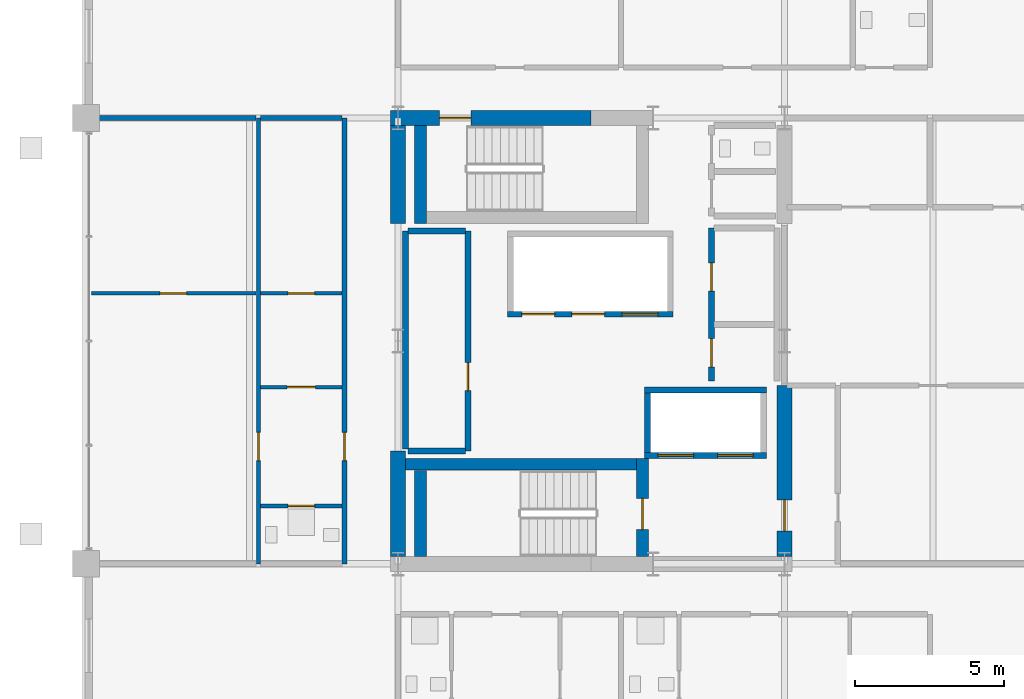
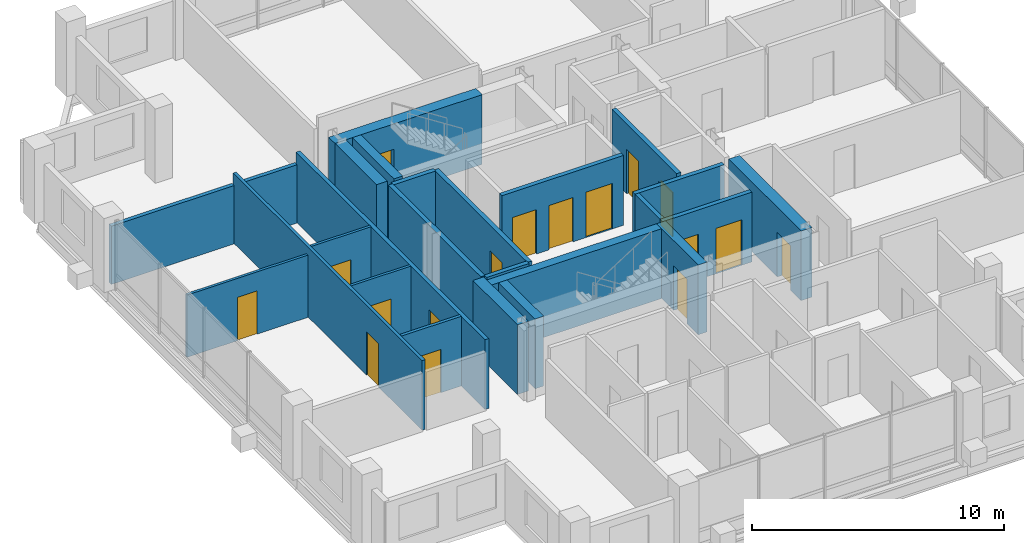
# One storey, part 17 of 21: 25 walls, 17 doors, 17 openings.
"""IFC4 building model written with IfcOpenShell, lengths in metres."""

from ifc_helpers import new_model, si_unit, direction, frame, frame_2d, origin, place, context, subcontext, project, spatial, rectangle, extrude, material, layer, layer_set, type_object, element, fill, save


model = new_model("IFC4")

# Units and contexts
model_context = context("Model", 3, precision=1e-05, world=origin(), true_north=direction((0.0, 1.0)))
body_context = subcontext(model_context, "Body", "Model", "MODEL_VIEW")
ifc_project = project(units=[si_unit("LENGTHUNIT", "METRE"), si_unit("AREAUNIT", "SQUARE_METRE"), si_unit("VOLUMEUNIT", "CUBIC_METRE"), si_unit("PLANEANGLEUNIT", "RADIAN"), si_unit("MASSUNIT", "GRAM", prefix="KILO")], contexts=[model_context])

# Site, building, storey
site_placement = place(None, origin())
site = spatial("IfcSite", under=ifc_project, at=site_placement, CompositionType="ELEMENT")
building_placement = place(site_placement, origin())
building = spatial("IfcBuilding", under=site, at=building_placement, Name="Barlavira Tower and Art Museum", CompositionType="ELEMENT")
storey_placement = place(building_placement, frame((0.0, 0.0, 297.89990234375)))
storey = spatial("IfcBuildingStorey", under=building, at=storey_placement, Name="L78", CompositionType="ELEMENT", Elevation=297.89990234375)

# Wall, opening, door
ifc_material_1 = material(Name="Gypsum acoustic stud partition", Category="gypsum")
ifc_layer_1 = layer(ifc_material_1, 0.1201171875, Name="Gypsum acoustic stud partition")
ifc_layer_set_1 = layer_set([ifc_layer_1], Name="Gypsum acoustic stud partition")
wall_type_1 = type_object("IfcWallType", Name="Apartment Internal Acoustic Partition 120", PredefinedType="PARTITIONING", material=ifc_layer_set_1)
wall_1_placement = place(storey_placement, frame((-11.1201171875, -1.550048828125, 0.0), z_axis=(0.0, 0.0, 1.0), x_axis=(1.0, 0.0, 0.0)))
wall_1 = element("IfcWall", 1, at=wall_1_placement, inside=storey, type_object=wall_type_1, Name="L78 Partition Wall 43", PredefinedType="PARTITIONING", context=body_context, shape_type="SweptSolid", body=[
    extrude(rectangle(XDim=2.740234375, YDim=0.1201171875, at=frame_2d((1.3701171875, 0.0))), origin(), (0.0, 0.0, 1.0), 3.380126953125),
])
opening_1_placement = place(wall_1_placement, frame((0.885009765625, 0.0, 0.0)))
opening_1 = element("IfcOpeningElement", 2, at=opening_1_placement, cuts=wall_1, Name="Opening D-02", PredefinedType="OPENING", context=body_context, shape_type="SweptSolid", body=[
    extrude(rectangle(XDim=0.949951171875, YDim=2.10009765625, at=frame_2d((0.47509765625, 1.050048828125))), frame((0.0, 0.070068359375, 0.0), z_axis=(0.0, -1.0, 0.0), x_axis=(1.0, 0.0, 0.0)), (0.0, 0.0, 1.0), 0.14013671875),
])
ifc_material_2 = material(Name="Engineered coastal hardwood", Category="wood")
door_type_1 = type_object("IfcDoorType", Name="Living and Salon Glazed-Leaf Door 950x2100", OperationType="NOTDEFINED", PredefinedType="DOOR", material=ifc_material_2)
door_1_placement = place(opening_1_placement, origin())
door_1 = element("IfcDoor", 3, at=door_1_placement, inside=storey, type_object=door_type_1, Name="Apartment W1 Kitchen Door", OperationType="SINGLE_SWING_RIGHT", OverallHeight=2.10009765625, OverallWidth=0.949951171875, PredefinedType="DOOR", context=body_context, shape_type="SweptSolid", body=[
    extrude(rectangle(XDim=0.949951171875, YDim=2.10009765625, at=frame_2d((0.47509765625, 1.050048828125))), frame((0.0, 0.02490234375, 0.0), z_axis=(0.0, -1.0, 0.0), x_axis=(1.0, 0.0, 0.0)), (0.0, 0.0, 1.0), 0.050048828125),
])
fill(opening_1, door_1)

wall_2_placement = place(storey_placement, frame((-16.820068359375, 1.60009765625, 0.0), z_axis=(0.0, 0.0, 1.0), x_axis=(1.0, 0.0, 0.0)))
wall_2 = element("IfcWall", 4, at=wall_2_placement, inside=storey, type_object=wall_type_1, Name="L78 Partition Wall 47", PredefinedType="PARTITIONING", context=body_context, shape_type="SweptSolid", body=[
    extrude(rectangle(XDim=5.5400390625, YDim=0.1201171875, at=frame_2d((2.77001953125, 0.0))), origin(), (0.0, 0.0, 1.0), 3.01806640625),
])
opening_2_placement = place(wall_2_placement, frame((2.31005859375, 0.0, 0.0)))
opening_2 = element("IfcOpeningElement", 5, at=opening_2_placement, cuts=wall_2, Name="Opening D-01", PredefinedType="OPENING", context=body_context, shape_type="SweptSolid", body=[
    extrude(rectangle(XDim=0.89990234375, YDim=2.10009765625, at=frame_2d((0.449951171875, 1.050048828125))), frame((0.0, 0.070068359375, 0.0), z_axis=(0.0, -1.0, 0.0), x_axis=(1.0, 0.0, 0.0)), (0.0, 0.0, 1.0), 0.14013671875),
])
door_type_2 = type_object("IfcDoorType", Name="Internal Bedroom Timber Flush Door 900x2100", OperationType="NOTDEFINED", PredefinedType="DOOR", material=ifc_material_2)
door_2_placement = place(opening_2_placement, origin())
door_2 = element("IfcDoor", 6, at=door_2_placement, inside=storey, type_object=door_type_2, Name="Apartment W1 Bedroom 1 Door", OperationType="SINGLE_SWING_LEFT", OverallHeight=2.10009765625, OverallWidth=0.89990234375, PredefinedType="DOOR", context=body_context, shape_type="SweptSolid", body=[
    extrude(rectangle(XDim=0.89990234375, YDim=2.10009765625, at=frame_2d((0.449951171875, 1.050048828125))), frame((0.0, 0.02490234375, 0.0), z_axis=(0.0, -1.0, 0.0), x_axis=(1.0, 0.0, 0.0)), (0.0, 0.0, 1.0), 0.050048828125),
])
fill(opening_2, door_2)

wall_3_placement = place(storey_placement, frame((-11.1201171875, 1.60009765625, 0.0), z_axis=(0.0, 0.0, 1.0), x_axis=(1.0, 0.0, 0.0)))
wall_3 = element("IfcWall", 7, at=wall_3_placement, inside=storey, type_object=wall_type_1, Name="L78 Partition Wall 48", PredefinedType="PARTITIONING", context=body_context, shape_type="SweptSolid", body=[
    extrude(rectangle(XDim=2.740234375, YDim=0.1201171875, at=frame_2d((1.3701171875, 0.0))), origin(), (0.0, 0.0, 1.0), 3.380126953125),
])
opening_3_placement = place(wall_3_placement, frame((0.909912109375, 0.0, 0.0)))
opening_3 = element("IfcOpeningElement", 8, at=opening_3_placement, cuts=wall_3, Name="Opening D-01", PredefinedType="OPENING", context=body_context, shape_type="SweptSolid", body=[
    extrude(rectangle(XDim=0.89990234375, YDim=2.10009765625, at=frame_2d((0.449951171875, 1.050048828125))), frame((0.0, 0.070068359375, 0.0), z_axis=(0.0, -1.0, 0.0), x_axis=(1.0, 0.0, 0.0)), (0.0, 0.0, 1.0), 0.14013671875),
])
door_3_placement = place(opening_3_placement, origin())
door_3 = element("IfcDoor", 9, at=door_3_placement, inside=storey, type_object=door_type_2, Name="Apartment W1 Study Door", OperationType="SINGLE_SWING_LEFT", OverallHeight=2.10009765625, OverallWidth=0.89990234375, PredefinedType="DOOR", context=body_context, shape_type="SweptSolid", body=[
    extrude(rectangle(XDim=0.89990234375, YDim=2.10009765625, at=frame_2d((0.449951171875, 1.050048828125))), frame((0.0, 0.02490234375, 0.0), z_axis=(0.0, -1.0, 0.0), x_axis=(1.0, 0.0, 0.0)), (0.0, 0.0, 1.0), 0.050048828125),
])
fill(opening_3, door_3)

ifc_material_3 = material(Name="Concrete C60", Category="concrete")
ifc_layer_2 = layer(ifc_material_3, 0.5, Name="Concrete C60")
ifc_layer_set_2 = layer_set([ifc_layer_2], Name="Concrete C60")
wall_type_2 = type_object("IfcWallType", Name="Core Structural Shear Wall 500 Concrete C60", PredefinedType="SHEAR", material=ifc_layer_set_2)
wall_4_placement = place(storey_placement, frame((-6.75, 7.5, 0.0), z_axis=(0.0, 0.0, 1.0), x_axis=(1.0, 0.0, 0.0)))
wall_4 = element("IfcWall", 10, at=wall_4_placement, inside=storey, type_object=wall_type_2, Name="L78 Core Shear Wall CS-NW", PredefinedType="SHEAR", context=body_context, shape_type="SweptSolid", body=[
    extrude(rectangle(XDim=6.75, YDim=0.5, at=frame_2d((3.375, 0.0))), origin(), (0.0, 0.0, 1.0), 3.380126953125),
])
opening_4_placement = place(wall_4_placement, frame((1.64990234375, 0.0, 0.0)))
opening_4 = element("IfcOpeningElement", 11, at=opening_4_placement, cuts=wall_4, Name="Opening FD-90", PredefinedType="OPENING", context=body_context, shape_type="SweptSolid", body=[
    extrude(rectangle(XDim=1.050048828125, YDim=2.14990234375, at=frame_2d((0.52490234375, 1.074951171875))), frame((0.0, 0.260009765625, 0.0), z_axis=(0.0, -1.0, 0.0), x_axis=(1.0, 0.0, 0.0)), (0.0, 0.0, 1.0), 0.52001953125),
])
ifc_material_4 = material(Name="Brushed stainless steel", Category="steel")
door_type_3 = type_object("IfcDoorType", Name="Stair and Refuge Fire Door 1050x2150 FD90S", OperationType="NOTDEFINED", PredefinedType="DOOR", material=ifc_material_4)
door_4_placement = place(opening_4_placement, origin())
door_4 = element("IfcDoor", 12, at=door_4_placement, inside=storey, type_object=door_type_3, Name="L78 Stair ST-T2 Fire Door", OperationType="SINGLE_SWING_LEFT", OverallHeight=2.14990234375, OverallWidth=1.050048828125, PredefinedType="DOOR", context=body_context, shape_type="SweptSolid", body=[
    extrude(rectangle(XDim=1.050048828125, YDim=2.14990234375, at=frame_2d((0.52490234375, 1.074951171875))), frame((0.0, 0.02490234375, 0.0), z_axis=(0.0, -1.0, 0.0), x_axis=(1.0, 0.0, 0.0)), (0.0, 0.0, 1.0), 0.050048828125),
])
fill(opening_4, door_4)

# Walls
wall_5_placement = place(storey_placement, frame((-6.5, -7.25, 0.0), z_axis=(0.0, 0.0, 1.0), x_axis=(0.0, 1.0, 0.0)))
element("IfcWall", 13, at=wall_5_placement, inside=storey, type_object=wall_type_2, Name="L78 Core Shear Wall CS-W1", PredefinedType="SHEAR", context=body_context, shape_type="SweptSolid", body=[
    extrude(rectangle(XDim=3.550048828125, YDim=0.5, at=frame_2d((1.77490234375, 0.0))), origin(), (0.0, 0.0, 1.0), 3.380126953125),
])
wall_6_placement = place(storey_placement, frame((-6.5, 3.949951171875, 0.0), z_axis=(0.0, 0.0, 1.0), x_axis=(0.0, 1.0, 0.0)))
element("IfcWall", 14, at=wall_6_placement, inside=storey, type_object=wall_type_2, Name="L78 Core Shear Wall CS-W2", PredefinedType="SHEAR", context=body_context, shape_type="SweptSolid", body=[
    extrude(rectangle(XDim=3.300048828125, YDim=0.5, at=frame_2d((1.64990234375, 0.0))), origin(), (0.0, 0.0, 1.0), 3.380126953125),
])

# Wall, opening, door
wall_7_placement = place(storey_placement, frame((6.5, -7.25, 0.0), z_axis=(0.0, 0.0, 1.0), x_axis=(0.0, 1.0, 0.0)))
wall_7 = element("IfcWall", 15, at=wall_7_placement, inside=storey, type_object=wall_type_2, Name="L78 Core Shear Wall CS-E1", PredefinedType="SHEAR", context=body_context, shape_type="SweptSolid", body=[
    extrude(rectangle(XDim=5.75, YDim=0.5, at=frame_2d((2.875, 0.0))), origin(), (0.0, 0.0, 1.0), 3.380126953125),
])
opening_5_placement = place(wall_7_placement, frame((0.85009765625, 0.0, 0.0)))
opening_5 = element("IfcOpeningElement", 16, at=opening_5_placement, cuts=wall_7, Name="Opening FD-90", PredefinedType="OPENING", context=body_context, shape_type="SweptSolid", body=[
    extrude(rectangle(XDim=1.050048828125, YDim=2.14990234375, at=frame_2d((0.52490234375, 1.074951171875))), frame((0.0, 0.260009765625, 0.0), z_axis=(0.0, -1.0, 0.0), x_axis=(1.0, 0.0, 0.0)), (0.0, 0.0, 1.0), 0.52001953125),
])
door_5_placement = place(opening_5_placement, origin())
door_5 = element("IfcDoor", 17, at=door_5_placement, inside=storey, type_object=door_type_3, Name="L78 Firefighting Lobby Entry Fire Door", OperationType="SINGLE_SWING_LEFT", OverallHeight=2.14990234375, OverallWidth=1.050048828125, PredefinedType="DOOR", context=body_context, shape_type="SweptSolid", body=[
    extrude(rectangle(XDim=1.050048828125, YDim=2.14990234375, at=frame_2d((0.52490234375, 1.074951171875))), frame((0.0, 0.02490234375, 0.0), z_axis=(0.0, -1.0, 0.0), x_axis=(1.0, 0.0, 0.0)), (0.0, 0.0, 1.0), 0.050048828125),
])
fill(opening_5, door_5)

# Wall, openings, doors
ifc_material_5 = material(Name="Autoclaved aerated concrete masonry", Category="masonry")
ifc_layer_3 = layer(ifc_material_5, 0.199951171875, Name="Autoclaved aerated concrete masonry")
ifc_layer_set_3 = layer_set([ifc_layer_3], Name="Autoclaved aerated concrete masonry")
wall_type_3 = type_object("IfcWallType", Name="Fire Compartment and Shaft Wall 200", PredefinedType="SOLIDWALL", material=ifc_layer_set_3)
wall_8_placement = place(storey_placement, frame((-2.820068359375, 0.89990234375, 0.0), z_axis=(0.0, 0.0, 1.0), x_axis=(1.0, 0.0, 0.0)))
wall_8 = element("IfcWall", 18, at=wall_8_placement, inside=storey, type_object=wall_type_3, Name="L78 High-Rise & Service Lift Front Wall", PredefinedType="SOLIDWALL", context=body_context, shape_type="SweptSolid", body=[
    extrude(rectangle(XDim=5.580078125, YDim=0.199951171875, at=frame_2d((2.7900390625, 0.0))), origin(), (0.0, 0.0, 1.0), 3.380126953125),
])
opening_6_placement = place(wall_8_placement, frame((0.489990234375, 0.0, 0.0)))
opening_6 = element("IfcOpeningElement", 19, at=opening_6_placement, cuts=wall_8, Name="Opening LD-P", PredefinedType="OPENING", context=body_context, shape_type="SweptSolid", body=[
    extrude(rectangle(XDim=1.10009765625, YDim=2.14990234375, at=frame_2d((0.550048828125, 1.074951171875))), frame((0.0, 0.10986328125, 0.0), z_axis=(0.0, -1.0, 0.0), x_axis=(1.0, 0.0, 0.0)), (0.0, 0.0, 1.0), 0.219970703125),
])
opening_7_placement = place(wall_8_placement, frame((2.169921875, 0.0, 0.0)))
opening_7 = element("IfcOpeningElement", 20, at=opening_7_placement, cuts=wall_8, Name="Opening LD-P", PredefinedType="OPENING", context=body_context, shape_type="SweptSolid", body=[
    extrude(rectangle(XDim=1.10009765625, YDim=2.14990234375, at=frame_2d((0.550048828125, 1.074951171875))), frame((0.0, 0.10986328125, 0.0), z_axis=(0.0, -1.0, 0.0), x_axis=(1.0, 0.0, 0.0)), (0.0, 0.0, 1.0), 0.219970703125),
])
opening_8_placement = place(wall_8_placement, frame((3.860107421875, 0.0, 0.0)))
opening_8 = element("IfcOpeningElement", 21, at=opening_8_placement, cuts=wall_8, Name="Opening LD-F", PredefinedType="OPENING", context=body_context, shape_type="SweptSolid", body=[
    extrude(rectangle(XDim=1.199951171875, YDim=2.199951171875, at=frame_2d((0.60009765625, 1.10009765625))), frame((0.0, 0.10986328125, 0.0), z_axis=(0.0, -1.0, 0.0), x_axis=(1.0, 0.0, 0.0)), (0.0, 0.0, 1.0), 0.219970703125),
])
door_type_4 = type_object("IfcDoorType", Name="Firefighting and Service Lift Sliding Door 1200x2200 FD120", OperationType="NOTDEFINED", PredefinedType="DOOR", material=ifc_material_4)
door_6_placement = place(opening_8_placement, origin())
door_6 = element("IfcDoor", 22, at=door_6_placement, inside=storey, type_object=door_type_4, Name="L78 Stretcher Service Lift SL1 Sliding Door", OperationType="DOUBLE_DOOR_SLIDING", OverallHeight=2.199951171875, OverallWidth=1.199951171875, PredefinedType="DOOR", context=body_context, shape_type="SweptSolid", body=[
    extrude(rectangle(XDim=1.199951171875, YDim=2.199951171875, at=frame_2d((0.60009765625, 1.10009765625))), frame((0.0, 0.02490234375, 0.0), z_axis=(0.0, -1.0, 0.0), x_axis=(1.0, 0.0, 0.0)), (0.0, 0.0, 1.0), 0.050048828125),
])
fill(opening_8, door_6)
door_type_5 = type_object("IfcDoorType", Name="Passenger Lift Sliding Landing Door 1100x2150 FD60", OperationType="NOTDEFINED", PredefinedType="DOOR", material=ifc_material_4)
door_7_placement = place(opening_6_placement, origin())
door_7 = element("IfcDoor", 23, at=door_7_placement, inside=storey, type_object=door_type_5, Name="L78 Lift PH1 Sliding Landing Door", OperationType="DOUBLE_DOOR_SLIDING", OverallHeight=2.14990234375, OverallWidth=1.10009765625, PredefinedType="DOOR", context=body_context, shape_type="SweptSolid", body=[
    extrude(rectangle(XDim=1.10009765625, YDim=2.14990234375, at=frame_2d((0.550048828125, 1.074951171875))), frame((0.0, 0.02490234375, 0.0), z_axis=(0.0, -1.0, 0.0), x_axis=(1.0, 0.0, 0.0)), (0.0, 0.0, 1.0), 0.050048828125),
])
fill(opening_6, door_7)
door_8_placement = place(opening_7_placement, origin())
door_8 = element("IfcDoor", 24, at=door_8_placement, inside=storey, type_object=door_type_5, Name="L78 Lift PH2 Sliding Landing Door", OperationType="DOUBLE_DOOR_SLIDING", OverallHeight=2.14990234375, OverallWidth=1.10009765625, PredefinedType="DOOR", context=body_context, shape_type="SweptSolid", body=[
    extrude(rectangle(XDim=1.10009765625, YDim=2.14990234375, at=frame_2d((0.550048828125, 1.074951171875))), frame((0.0, 0.02490234375, 0.0), z_axis=(0.0, -1.0, 0.0), x_axis=(1.0, 0.0, 0.0)), (0.0, 0.0, 1.0), 0.050048828125),
])
fill(opening_7, door_8)

wall_9_placement = place(storey_placement, frame((1.800048828125, -3.85009765625, 0.0), z_axis=(0.0, 0.0, 1.0), x_axis=(1.0, 0.0, 0.0)))
wall_9 = element("IfcWall", 25, at=wall_9_placement, inside=storey, type_object=wall_type_3, Name="L78 Firefighting Lift Front Shaft Wall", PredefinedType="SOLIDWALL", context=body_context, shape_type="SweptSolid", body=[
    extrude(rectangle(XDim=4.099853515625, YDim=0.199951171875, at=frame_2d((2.0498046875, 0.0))), origin(), (0.0, 0.0, 1.0), 3.380126953125),
])
opening_9_placement = place(wall_9_placement, frame((0.449951171875, 0.0, 0.0)))
opening_9 = element("IfcOpeningElement", 26, at=opening_9_placement, cuts=wall_9, Name="Opening LD-F", PredefinedType="OPENING", context=body_context, shape_type="SweptSolid", body=[
    extrude(rectangle(XDim=1.199951171875, YDim=2.199951171875, at=frame_2d((0.60009765625, 1.10009765625))), frame((0.0, 0.10986328125, 0.0), z_axis=(0.0, -1.0, 0.0), x_axis=(1.0, 0.0, 0.0)), (0.0, 0.0, 1.0), 0.219970703125),
])
opening_10_placement = place(wall_9_placement, frame((2.449951171875, 0.0, 0.0)))
opening_10 = element("IfcOpeningElement", 27, at=opening_10_placement, cuts=wall_9, Name="Opening LD-F", PredefinedType="OPENING", context=body_context, shape_type="SweptSolid", body=[
    extrude(rectangle(XDim=1.199951171875, YDim=2.199951171875, at=frame_2d((0.60009765625, 1.10009765625))), frame((0.0, 0.10986328125, 0.0), z_axis=(0.0, -1.0, 0.0), x_axis=(1.0, 0.0, 0.0)), (0.0, 0.0, 1.0), 0.219970703125),
])
door_9_placement = place(opening_9_placement, origin())
door_9 = element("IfcDoor", 28, at=door_9_placement, inside=storey, type_object=door_type_4, Name="L78 Firefighting Lift FF1 Sliding Door", OperationType="DOUBLE_DOOR_SLIDING", OverallHeight=2.199951171875, OverallWidth=1.199951171875, PredefinedType="DOOR", context=body_context, shape_type="SweptSolid", body=[
    extrude(rectangle(XDim=1.199951171875, YDim=2.199951171875, at=frame_2d((0.60009765625, 1.10009765625))), frame((0.0, 0.02490234375, 0.0), z_axis=(0.0, -1.0, 0.0), x_axis=(1.0, 0.0, 0.0)), (0.0, 0.0, 1.0), 0.050048828125),
])
fill(opening_9, door_9)
door_10_placement = place(opening_10_placement, origin())
door_10 = element("IfcDoor", 29, at=door_10_placement, inside=storey, type_object=door_type_4, Name="L78 Firefighting Lift FF2 Sliding Door", OperationType="DOUBLE_DOOR_SLIDING", OverallHeight=2.199951171875, OverallWidth=1.199951171875, PredefinedType="DOOR", context=body_context, shape_type="SweptSolid", body=[
    extrude(rectangle(XDim=1.199951171875, YDim=2.199951171875, at=frame_2d((0.60009765625, 1.10009765625))), frame((0.0, 0.02490234375, 0.0), z_axis=(0.0, -1.0, 0.0), x_axis=(1.0, 0.0, 0.0)), (0.0, 0.0, 1.0), 0.050048828125),
])
fill(opening_10, door_10)

# Walls
wall_10_placement = place(storey_placement, frame((1.800048828125, -1.64990234375, 0.0), z_axis=(0.0, 0.0, 1.0), x_axis=(1.0, 0.0, 0.0)))
element("IfcWall", 30, at=wall_10_placement, inside=storey, type_object=wall_type_3, Name="L78 Firefighting Lift Back Shaft Wall", PredefinedType="SOLIDWALL", context=body_context, shape_type="SweptSolid", body=[
    extrude(rectangle(XDim=4.099853515625, YDim=0.199951171875, at=frame_2d((2.0498046875, 0.0))), origin(), (0.0, 0.0, 1.0), 3.380126953125),
])
wall_11_placement = place(storey_placement, frame((1.89990234375, -3.75, 0.0), z_axis=(0.0, 0.0, 1.0), x_axis=(0.0, 1.0, 0.0)))
element("IfcWall", 31, at=wall_11_placement, inside=storey, type_object=wall_type_3, Name="L78 Firefighting Lift West Shaft Wall", PredefinedType="SOLIDWALL", context=body_context, shape_type="SweptSolid", body=[
    extrude(rectangle(XDim=2.0, YDim=0.199951171875, at=frame_2d((1.0, 0.0))), origin(), (0.0, 0.0, 1.0), 3.380126953125),
])
wall_12_placement = place(storey_placement, frame((-6.25, -3.639892578125, 0.0), z_axis=(0.0, 0.0, 1.0), x_axis=(0.0, 1.0, 0.0)))
element("IfcWall", 32, at=wall_12_placement, inside=storey, type_object=wall_type_3, Name="L78 Partition Wall 5", PredefinedType="SOLIDWALL", context=body_context, shape_type="SweptSolid", body=[
    extrude(rectangle(XDim=7.33984375, YDim=0.199951171875, at=frame_2d((3.669921875, 0.0))), origin(), (0.0, 0.0, 1.0), 3.380126953125),
])

# Wall, opening, door
wall_13_placement = place(storey_placement, frame((-4.14990234375, -3.699951171875, 0.0), z_axis=(0.0, 0.0, 1.0), x_axis=(0.0, 1.0, 0.0)))
wall_13 = element("IfcWall", 33, at=wall_13_placement, inside=storey, type_object=wall_type_3, Name="L78 Partition Wall 7", PredefinedType="SOLIDWALL", context=body_context, shape_type="SweptSolid", body=[
    extrude(rectangle(XDim=7.39990234375, YDim=0.199951171875, at=frame_2d((3.699951171875, 0.0))), origin(), (0.0, 0.0, 1.0), 3.380126953125),
])
opening_11_placement = place(wall_13_placement, frame((2.02490234375, 0.0, 0.0)))
opening_11 = element("IfcOpeningElement", 34, at=opening_11_placement, cuts=wall_13, Name="Opening FD-60", PredefinedType="OPENING", context=body_context, shape_type="SweptSolid", body=[
    extrude(rectangle(XDim=0.949951171875, YDim=2.14990234375, at=frame_2d((0.47509765625, 1.074951171875))), frame((0.0, 0.10986328125, 0.0), z_axis=(0.0, -1.0, 0.0), x_axis=(1.0, 0.0, 0.0)), (0.0, 0.0, 1.0), 0.219970703125),
])
door_type_6 = type_object("IfcDoorType", Name="Apartment Entrance and Riser Fire Door 950x2150 FD60S", OperationType="NOTDEFINED", PredefinedType="DOOR", material=ifc_material_4)
door_11_placement = place(opening_11_placement, origin())
door_11 = element("IfcDoor", 35, at=door_11_placement, inside=storey, type_object=door_type_6, Name="Reclaimed Core Tenant Storage Vault Door", OperationType="SINGLE_SWING_RIGHT", OverallHeight=2.14990234375, OverallWidth=0.949951171875, PredefinedType="DOOR", context=body_context, shape_type="SweptSolid", body=[
    extrude(rectangle(XDim=0.949951171875, YDim=2.14990234375, at=frame_2d((0.47509765625, 1.074951171875))), frame((0.0, 0.02490234375, 0.0), z_axis=(0.0, -1.0, 0.0), x_axis=(1.0, 0.0, 0.0)), (0.0, 0.0, 1.0), 0.050048828125),
])
fill(opening_11, door_11)

# Wall, openings, doors
wall_14_placement = place(storey_placement, frame((4.050048828125, -1.35009765625, 0.0), z_axis=(0.0, 0.0, 1.0), x_axis=(0.0, 1.0, 0.0)))
wall_14 = element("IfcWall", 36, at=wall_14_placement, inside=storey, type_object=wall_type_3, Name="L78 Partition Wall 13", PredefinedType="SOLIDWALL", context=body_context, shape_type="SweptSolid", body=[
    extrude(rectangle(XDim=5.150146484375, YDim=0.199951171875, at=frame_2d((2.5751953125, 0.0))), origin(), (0.0, 0.0, 1.0), 3.380126953125),
])
opening_12_placement = place(wall_14_placement, frame((0.47509765625, 0.0, 0.0)))
opening_12 = element("IfcOpeningElement", 37, at=opening_12_placement, cuts=wall_14, Name="Opening FD-60", PredefinedType="OPENING", context=body_context, shape_type="SweptSolid", body=[
    extrude(rectangle(XDim=0.949951171875, YDim=2.14990234375, at=frame_2d((0.47509765625, 1.074951171875))), frame((0.0, 0.10986328125, 0.0), z_axis=(0.0, -1.0, 0.0), x_axis=(1.0, 0.0, 0.0)), (0.0, 0.0, 1.0), 0.219970703125),
])
opening_13_placement = place(wall_14_placement, frame((3.02490234375, 0.0, 0.0)))
opening_13 = element("IfcOpeningElement", 38, at=opening_13_placement, cuts=wall_14, Name="Opening FD-60", PredefinedType="OPENING", context=body_context, shape_type="SweptSolid", body=[
    extrude(rectangle(XDim=0.949951171875, YDim=2.14990234375, at=frame_2d((0.47509765625, 1.074951171875))), frame((0.0, 0.10986328125, 0.0), z_axis=(0.0, -1.0, 0.0), x_axis=(1.0, 0.0, 0.0)), (0.0, 0.0, 1.0), 0.219970703125),
])
door_12_placement = place(opening_12_placement, origin())
door_12 = element("IfcDoor", 39, at=door_12_placement, inside=storey, type_object=door_type_6, Name="Reclaimed Upper Core Wine Cellar Door", OperationType="SINGLE_SWING_LEFT", OverallHeight=2.14990234375, OverallWidth=0.949951171875, PredefinedType="DOOR", context=body_context, shape_type="SweptSolid", body=[
    extrude(rectangle(XDim=0.949951171875, YDim=2.14990234375, at=frame_2d((0.47509765625, 1.074951171875))), frame((0.0, 0.02490234375, 0.0), z_axis=(0.0, -1.0, 0.0), x_axis=(1.0, 0.0, 0.0)), (0.0, 0.0, 1.0), 0.050048828125),
])
fill(opening_12, door_12)
door_13_placement = place(opening_13_placement, origin())
door_13 = element("IfcDoor", 40, at=door_13_placement, inside=storey, type_object=door_type_6, Name="Reclaimed Upper Core Linen Store Door", OperationType="SINGLE_SWING_RIGHT", OverallHeight=2.14990234375, OverallWidth=0.949951171875, PredefinedType="DOOR", context=body_context, shape_type="SweptSolid", body=[
    extrude(rectangle(XDim=0.949951171875, YDim=2.14990234375, at=frame_2d((0.47509765625, 1.074951171875))), frame((0.0, 0.02490234375, 0.0), z_axis=(0.0, -1.0, 0.0), x_axis=(1.0, 0.0, 0.0)), (0.0, 0.0, 1.0), 0.050048828125),
])
fill(opening_13, door_13)

# Walls
for number, where, z_axis, x_axis, name in (
    (41, (-6.169921875, -3.699951171875, 0.0), (0.0, 0.0, 1.0), (1.0, 0.0, 0.0), "L78 Partition Wall 42"),
    (42, (-6.169921875, 3.699951171875, 0.0), (0.0, 0.0, 1.0), (1.0, 0.0, 0.0), "L78 Partition Wall 49"),
):
    element("IfcWall", number, at=place(storey_placement, frame(where, z_axis=z_axis, x_axis=x_axis)), inside=storey, type_object=wall_type_3, Name=name, PredefinedType="SOLIDWALL", context=body_context, shape_type="SweptSolid", body=[
        extrude(rectangle(XDim=1.93994140625, YDim=0.199951171875, at=frame_2d((0.969970703125, 0.0))), origin(), (0.0, 0.0, 1.0), 3.380126953125),
    ])

# Wall, opening, door
ifc_layer_4 = layer(ifc_material_1, 0.179931640625, Name="Gypsum acoustic stud partition")
ifc_layer_set_4 = layer_set([ifc_layer_4], Name="Gypsum acoustic stud partition")
wall_type_4 = type_object("IfcWallType", Name="Inter-Tenancy Party Partition Wall 180", PredefinedType="PARTITIONING", material=ifc_layer_set_4)
wall_15_placement = place(storey_placement, frame((-8.300048828125, -7.5, 0.0), z_axis=(0.0, 0.0, 1.0), x_axis=(0.0, 1.0, 0.0)))
wall_15 = element("IfcWall", 43, at=wall_15_placement, inside=storey, type_object=wall_type_4, Name="L78 Partition Wall 2", PredefinedType="PARTITIONING", context=body_context, shape_type="SweptSolid", body=[
    extrude(rectangle(XDim=15.0, YDim=0.179931640625, at=frame_2d((7.5, 0.0))), origin(), (0.0, 0.0, 1.0), 3.380126953125),
])
opening_14_placement = place(wall_15_placement, frame((3.47509765625, 0.0, 0.0)))
opening_14 = element("IfcOpeningElement", 44, at=opening_14_placement, cuts=wall_15, Name="Opening FD-60", PredefinedType="OPENING", context=body_context, shape_type="SweptSolid", body=[
    extrude(rectangle(XDim=0.949951171875, YDim=2.14990234375, at=frame_2d((0.47509765625, 1.074951171875))), frame((0.0, 0.10009765625, 0.0), z_axis=(0.0, -1.0, 0.0), x_axis=(1.0, 0.0, 0.0)), (0.0, 0.0, 1.0), 0.199951171875),
])
door_14_placement = place(opening_14_placement, origin())
door_14 = element("IfcDoor", 45, at=door_14_placement, inside=storey, type_object=door_type_6, Name="Apartment Entrance Hall W1 Door", OperationType="SINGLE_SWING_LEFT", OverallHeight=2.14990234375, OverallWidth=0.949951171875, PredefinedType="DOOR", context=body_context, shape_type="SweptSolid", body=[
    extrude(rectangle(XDim=0.949951171875, YDim=2.14990234375, at=frame_2d((0.47509765625, 1.074951171875))), frame((0.0, 0.02490234375, 0.0), z_axis=(0.0, -1.0, 0.0), x_axis=(1.0, 0.0, 0.0)), (0.0, 0.0, 1.0), 0.050048828125),
])
fill(opening_14, door_14)

# Walls
wall_16_placement = place(storey_placement, frame((-16.89990234375, 7.5, 0.0), z_axis=(0.0, 0.0, 1.0), x_axis=(1.0, 0.0, 0.0)))
element("IfcWall", 46, at=wall_16_placement, inside=storey, type_object=wall_type_4, Name="L78 Partition Wall 56", PredefinedType="PARTITIONING", context=body_context, shape_type="SweptSolid", body=[
    extrude(rectangle(XDim=5.619873046875, YDim=0.179931640625, at=frame_2d((2.81005859375, 0.0))), origin(), (0.0, 0.0, 1.0), 2.826171875),
])
wall_17_placement = place(storey_placement, frame((-11.1201171875, 7.5, 0.0), z_axis=(0.0, 0.0, 1.0), x_axis=(1.0, 0.0, 0.0)))
element("IfcWall", 47, at=wall_17_placement, inside=storey, type_object=wall_type_4, Name="L78 Partition Wall 57", PredefinedType="PARTITIONING", context=body_context, shape_type="SweptSolid", body=[
    extrude(rectangle(XDim=2.740234375, YDim=0.179931640625, at=frame_2d((1.3701171875, 0.0))), origin(), (0.0, 0.0, 1.0), 2.826171875),
])

# Wall, opening, door
ifc_layer_5 = layer(ifc_material_1, 0.139892578125, Name="Gypsum acoustic stud partition")
ifc_layer_set_5 = layer_set([ifc_layer_5], Name="Gypsum acoustic stud partition")
wall_type_5 = type_object("IfcWallType", Name="Moisture-Resistant Bathroom Partition 140", PredefinedType="PARTITIONING", material=ifc_layer_set_5)
wall_18_placement = place(storey_placement, frame((-11.199951171875, -7.5, 0.0), z_axis=(0.0, 0.0, 1.0), x_axis=(0.0, 1.0, 0.0)))
wall_18 = element("IfcWall", 48, at=wall_18_placement, inside=storey, type_object=wall_type_5, Name="L78 Partition Wall 1", PredefinedType="PARTITIONING", context=body_context, shape_type="SweptSolid", body=[
    extrude(rectangle(XDim=15.0, YDim=0.139892578125, at=frame_2d((7.5, 0.0))), origin(), (0.0, 0.0, 1.0), 3.380126953125),
])
opening_15_placement = place(wall_18_placement, frame((3.47509765625, 0.0, 0.0)))
opening_15 = element("IfcOpeningElement", 49, at=opening_15_placement, cuts=wall_18, Name="Opening D-02", PredefinedType="OPENING", context=body_context, shape_type="SweptSolid", body=[
    extrude(rectangle(XDim=0.949951171875, YDim=2.10009765625, at=frame_2d((0.47509765625, 1.050048828125))), frame((0.0, 0.080078125, 0.0), z_axis=(0.0, -1.0, 0.0), x_axis=(1.0, 0.0, 0.0)), (0.0, 0.0, 1.0), 0.159912109375),
])
door_15_placement = place(opening_15_placement, origin())
door_15 = element("IfcDoor", 50, at=door_15_placement, inside=storey, type_object=door_type_1, Name="Apartment W1 Living Lounge Door", OperationType="SINGLE_SWING_RIGHT", OverallHeight=2.10009765625, OverallWidth=0.949951171875, PredefinedType="DOOR", context=body_context, shape_type="SweptSolid", body=[
    extrude(rectangle(XDim=0.949951171875, YDim=2.10009765625, at=frame_2d((0.47509765625, 1.050048828125))), frame((0.0, 0.02490234375, 0.0), z_axis=(0.0, -1.0, 0.0), x_axis=(1.0, 0.0, 0.0)), (0.0, 0.0, 1.0), 0.050048828125),
])
fill(opening_15, door_15)

wall_19_placement = place(storey_placement, frame((-11.1201171875, -5.550048828125, 0.0), z_axis=(0.0, 0.0, 1.0), x_axis=(1.0, 0.0, 0.0)))
wall_19 = element("IfcWall", 51, at=wall_19_placement, inside=storey, type_object=wall_type_5, Name="L78 Partition Wall 41", PredefinedType="PARTITIONING", context=body_context, shape_type="SweptSolid", body=[
    extrude(rectangle(XDim=2.740234375, YDim=0.139892578125, at=frame_2d((1.3701171875, 0.0))), origin(), (0.0, 0.0, 1.0), 3.380126953125),
])
opening_16_placement = place(wall_19_placement, frame((0.909912109375, 0.0, 0.0)))
opening_16 = element("IfcOpeningElement", 52, at=opening_16_placement, cuts=wall_19, Name="Opening D-WC", PredefinedType="OPENING", context=body_context, shape_type="SweptSolid", body=[
    extrude(rectangle(XDim=0.89990234375, YDim=2.10009765625, at=frame_2d((0.449951171875, 1.050048828125))), frame((0.0, 0.080078125, 0.0), z_axis=(0.0, -1.0, 0.0), x_axis=(1.0, 0.0, 0.0)), (0.0, 0.0, 1.0), 0.159912109375),
])
door_type_7 = type_object("IfcDoorType", Name="Accessible Bathroom Flush Door 900x2100", OperationType="NOTDEFINED", PredefinedType="DOOR", material=ifc_material_2)
door_16_placement = place(opening_16_placement, origin())
door_16 = element("IfcDoor", 53, at=door_16_placement, inside=storey, type_object=door_type_7, Name="Apartment W1 Hall Bathroom Door", OperationType="SINGLE_SWING_RIGHT", OverallHeight=2.10009765625, OverallWidth=0.89990234375, PredefinedType="DOOR", context=body_context, shape_type="SweptSolid", body=[
    extrude(rectangle(XDim=0.89990234375, YDim=2.10009765625, at=frame_2d((0.449951171875, 1.050048828125))), frame((0.0, 0.02490234375, 0.0), z_axis=(0.0, -1.0, 0.0), x_axis=(1.0, 0.0, 0.0)), (0.0, 0.0, 1.0), 0.050048828125),
])
fill(opening_16, door_16)

# Walls
ifc_material_6 = material(Name="Concrete C55", Category="concrete")
ifc_layer_6 = layer(ifc_material_6, 0.39990234375, Name="Concrete C55")
ifc_layer_set_6 = layer_set([ifc_layer_6], Name="Concrete C55")
wall_type_6 = type_object("IfcWallType", Name="Upper Core Shear Wall 400 Concrete C55", PredefinedType="SHEAR", material=ifc_layer_set_6)
wall_20_placement = place(storey_placement, frame((-5.75, -7.25, 0.0), z_axis=(0.0, 0.0, 1.0), x_axis=(0.0, 1.0, 0.0)))
element("IfcWall", 54, at=wall_20_placement, inside=storey, type_object=wall_type_6, Name="L78 ST-T1 West Half-Landing Wall", PredefinedType="SHEAR", context=body_context, shape_type="SweptSolid", body=[
    extrude(rectangle(XDim=2.89990234375, YDim=0.39990234375, at=frame_2d((1.449951171875, 0.0))), origin(), (0.0, 0.0, 1.0), 3.380126953125),
])
wall_21_placement = place(storey_placement, frame((-6.25, -4.14990234375, 0.0), z_axis=(0.0, 0.0, 1.0), x_axis=(1.0, 0.0, 0.0)))
element("IfcWall", 55, at=wall_21_placement, inside=storey, type_object=wall_type_6, Name="L78 ST-T1 North Shaft Wall", PredefinedType="SHEAR", context=body_context, shape_type="SweptSolid", body=[
    extrude(rectangle(XDim=7.780029296875, YDim=0.39990234375, at=frame_2d((3.89013671875, 0.0))), origin(), (0.0, 0.0, 1.0), 3.380126953125),
])

# Wall, opening, door
wall_22_placement = place(storey_placement, frame((1.72998046875, -7.25, 0.0), z_axis=(0.0, 0.0, 1.0), x_axis=(0.0, 1.0, 0.0)))
wall_22 = element("IfcWall", 56, at=wall_22_placement, inside=storey, type_object=wall_type_6, Name="L78 ST-T1 East Landing Wall", PredefinedType="SHEAR", context=body_context, shape_type="SweptSolid", body=[
    extrude(rectangle(XDim=3.300048828125, YDim=0.39990234375, at=frame_2d((1.64990234375, 0.0))), origin(), (0.0, 0.0, 1.0), 3.380126953125),
])
opening_17_placement = place(wall_22_placement, frame((0.89990234375, 0.0, 0.0)))
opening_17 = element("IfcOpeningElement", 57, at=opening_17_placement, cuts=wall_22, Name="Opening FD-90", PredefinedType="OPENING", context=body_context, shape_type="SweptSolid", body=[
    extrude(rectangle(XDim=1.050048828125, YDim=2.14990234375, at=frame_2d((0.52490234375, 1.074951171875))), frame((0.0, 0.2099609375, 0.0), z_axis=(0.0, -1.0, 0.0), x_axis=(1.0, 0.0, 0.0)), (0.0, 0.0, 1.0), 0.419921875),
])
door_17_placement = place(opening_17_placement, origin())
door_17 = element("IfcDoor", 58, at=door_17_placement, inside=storey, type_object=door_type_3, Name="L78 Stair ST-T1 Fire Door", OperationType="SINGLE_SWING_RIGHT", OverallHeight=2.14990234375, OverallWidth=1.050048828125, PredefinedType="DOOR", context=body_context, shape_type="SweptSolid", body=[
    extrude(rectangle(XDim=1.050048828125, YDim=2.14990234375, at=frame_2d((0.52490234375, 1.074951171875))), frame((0.0, 0.02490234375, 0.0), z_axis=(0.0, -1.0, 0.0), x_axis=(1.0, 0.0, 0.0)), (0.0, 0.0, 1.0), 0.050048828125),
])
fill(opening_17, door_17)

# Wall
wall_23_placement = place(storey_placement, frame((-5.75, 3.949951171875, 0.0), z_axis=(0.0, 0.0, 1.0), x_axis=(0.0, 1.0, 0.0)))
element("IfcWall", 59, at=wall_23_placement, inside=storey, type_object=wall_type_6, Name="L78 ST-T2 West Shaft Wall", PredefinedType="SHEAR", context=body_context, shape_type="SweptSolid", body=[
    extrude(rectangle(XDim=3.300048828125, YDim=0.39990234375, at=frame_2d((1.64990234375, 0.0))), origin(), (0.0, 0.0, 1.0), 3.380126953125),
])

save(model, "model.ifc")
